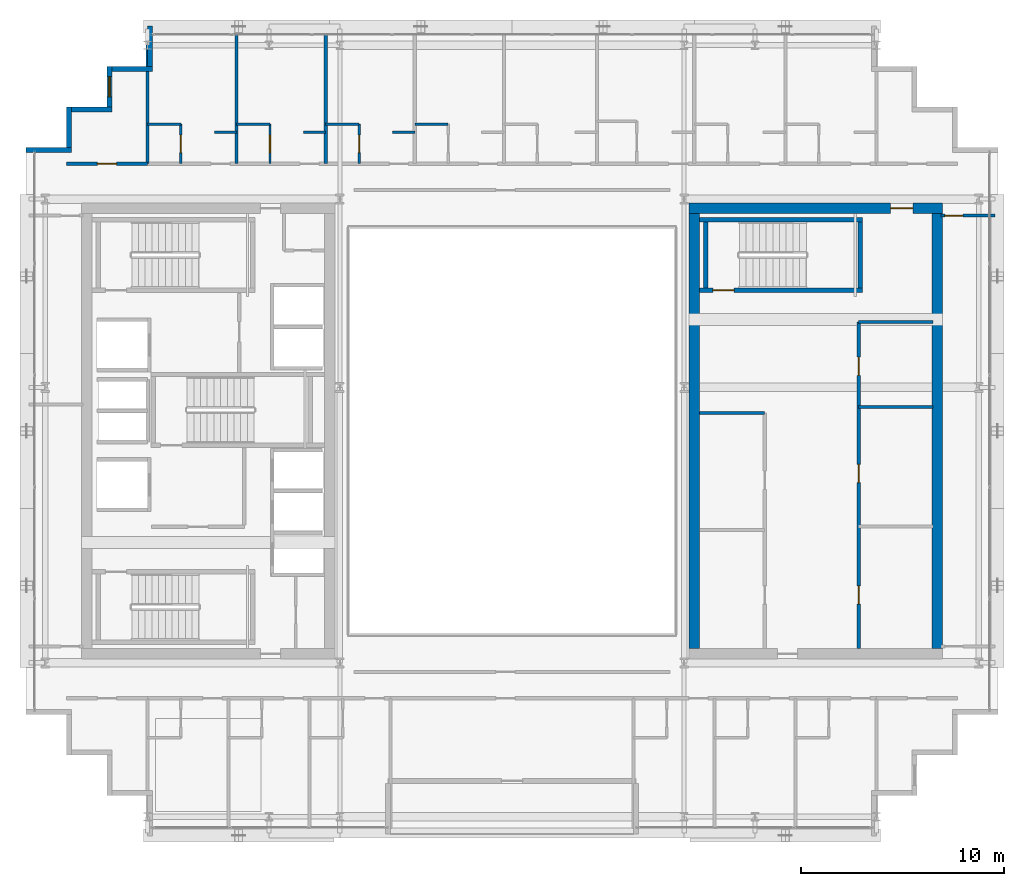
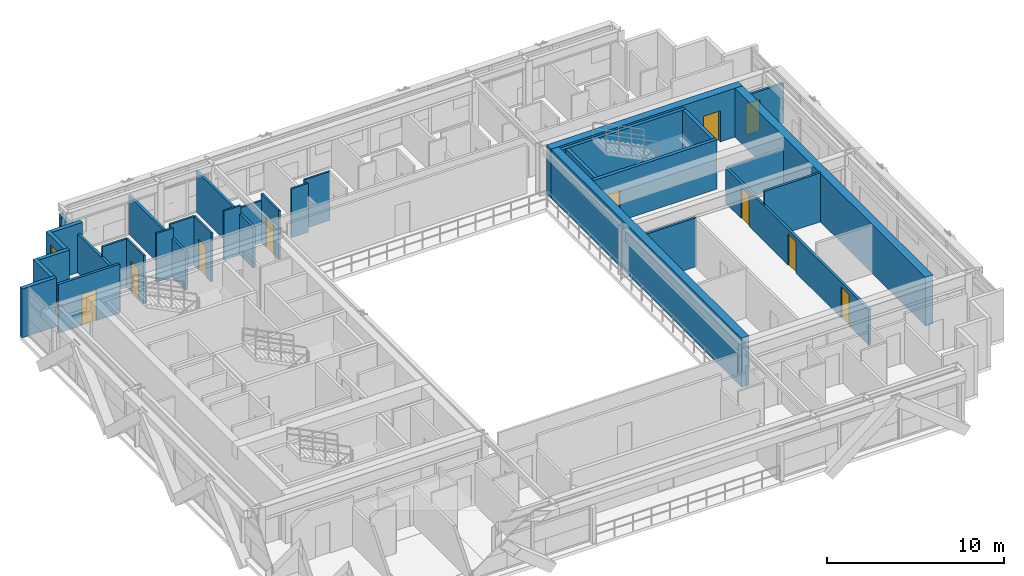
# One storey, part 26 of 32: 32 walls, 10 doors, 1 window, 11 openings.
"""IFC4 building model written with IfcOpenShell, lengths in metres."""

from ifc_helpers import new_model, si_unit, direction, frame, frame_2d, origin, place, context, subcontext, project, spatial, rectangle, extrude, source, transform, mapped, material, layer, layer_set, type_object, element, fill, save


model = new_model("IFC4")

# Units and contexts
model_context = context("Model", 3, precision=1e-05, world=origin(), true_north=direction((0.0, 1.0)))
body_context = subcontext(model_context, "Body", "Model", "MODEL_VIEW")
ifc_project = project(units=[si_unit("LENGTHUNIT", "METRE"), si_unit("AREAUNIT", "SQUARE_METRE"), si_unit("VOLUMEUNIT", "CUBIC_METRE"), si_unit("PLANEANGLEUNIT", "RADIAN"), si_unit("MASSUNIT", "GRAM", prefix="KILO")], contexts=[model_context])

# Site, building, storey
site_placement = place(None, origin())
site = spatial("IfcSite", under=ifc_project, at=site_placement, CompositionType="ELEMENT")
building_placement = place(site_placement, origin())
building = spatial("IfcBuilding", under=site, at=building_placement, Name="Ocotamira Hotel", CompositionType="ELEMENT")
storey_placement = place(building_placement, frame((0.0, 0.0, 166.800048828125)))
storey = spatial("IfcBuildingStorey", under=building, at=storey_placement, Name="L41", CompositionType="ELEMENT", Elevation=166.800048828125)

# Wall, opening, door
ifc_material_1 = material(Name="Concrete C50/60", Category="concrete")
ifc_layer_1 = layer(ifc_material_1, 0.5)
ifc_layer_set_1 = layer_set([ifc_layer_1], Name="Concrete C50/60")
wall_type_1 = type_object("IfcWallType", Name="WL-CORE-500", PredefinedType="SHEAR", material=ifc_layer_set_1)
wall_1_placement = place(storey_placement, frame((40.75, 37.0, 0.0), z_axis=(0.0, 0.0, 1.0), x_axis=(1.0, 0.0, 0.0)))
wall_1 = element("IfcWall", 1, at=wall_1_placement, inside=storey, type_object=wall_type_1, Name="L41 Shear Core Wall ECORE-N", PredefinedType="SHEAR", context=body_context, shape_type="SweptSolid", body=[
    extrude(rectangle(XDim=12.5, YDim=0.5, at=frame_2d((6.25, 0.0))), origin(), (0.0, 0.0, 1.0), 3.369873046875),
])
opening_1_placement = place(wall_1_placement, frame((9.949951171875, 0.0, 0.0)))
opening_1 = element("IfcOpeningElement", 2, at=opening_1_placement, cuts=wall_1, Name="Opening D-FR1", PredefinedType="OPENING", context=body_context, shape_type="SweptSolid", body=[
    extrude(rectangle(XDim=1.10009765625, YDim=2.14990234375, at=frame_2d((0.550048828125, 1.074951171875))), frame((0.0, 0.260009765625, 0.0), z_axis=(0.0, -1.0, 0.0), x_axis=(1.0, 0.0, 0.0)), (0.0, 0.0, 1.0), 0.52001953125),
])
ifc_material_2 = material(Name="Fire-rated acoustic timber-veneer door", Category="wood")
door_type_1 = type_object("IfcDoorType", Name="DR-FIRE-1100", OperationType="NOTDEFINED", PredefinedType="DOOR", material=ifc_material_2)
shared_shape_1 = source(origin(), body_context, "Body", "SweptSolid", [
    extrude(rectangle(XDim=1.10009765625, YDim=2.14990234375, at=frame_2d((0.550048828125, 1.074951171875))), frame((0.0, 0.02490234375, 0.0), z_axis=(0.0, -1.0, 0.0), x_axis=(1.0, 0.0, 0.0)), (0.0, 0.0, 1.0), 0.050048828125),
])
door_1_placement = place(opening_1_placement, origin())
door_1 = element("IfcDoor", 3, at=door_1_placement, inside=storey, type_object=door_type_1, Name="L41 Door ID-L41-ELOB-N-D [ID-L41-ELOB-N-D]", OperationType="SINGLE_SWING_LEFT", OverallHeight=2.14990234375, OverallWidth=1.10009765625, PredefinedType="DOOR", context=body_context, shape_type="MappedRepresentation", body=[
    mapped(shared_shape_1, transform((0.0, 0.0, 0.0), scale=1.0)),
])
fill(opening_1, door_1)

# Walls
for number, where, z_axis, x_axis, name in (
    (4, (41.0, 15.25, 0.0), (0.0, 0.0, 1.0), (0.0, 1.0, 0.0), "L41 Shear Core Wall ECORE-W"),
    (5, (53.0, 15.25, 0.0), (0.0, 0.0, 1.0), (0.0, 1.0, 0.0), "L41 Shear Core Wall ECORE-E"),
):
    element("IfcWall", number, at=place(storey_placement, frame(where, z_axis=z_axis, x_axis=x_axis)), inside=storey, type_object=wall_type_1, Name=name, PredefinedType="SHEAR", context=body_context, shape_type="SweptSolid", body=[
        extrude(rectangle(XDim=21.5, YDim=0.5, at=frame_2d((10.75, 0.0))), origin(), (0.0, 0.0, 1.0), 3.369873046875),
    ])
ifc_material_3 = material(Name="Precast concrete C45/55", Category="concrete")
ifc_layer_2 = layer(ifc_material_3, 0.25)
ifc_layer_set_2 = layer_set([ifc_layer_2], Name="Precast concrete C45/55")
wall_type_2 = type_object("IfcWallType", Name="WL-EXT-SER-250", PredefinedType="SOLIDWALL", material=ifc_layer_set_2)
wall_2_placement = place(storey_placement, frame((14.125, 46.0, 0.0), z_axis=(0.0, 0.0, 1.0), x_axis=(0.0, -1.0, 0.0)))
element("IfcWall", 6, at=wall_2_placement, inside=storey, type_object=wall_type_2, Name="L41 Serrated Corner Wall 13", PredefinedType="SOLIDWALL", context=body_context, shape_type="SweptSolid", body=[
    extrude(rectangle(XDim=2.0, YDim=0.25, at=frame_2d((1.0, 0.0))), origin(), (0.0, 0.0, 1.0), 2.677001953125),
])
wall_3_placement = place(storey_placement, frame((14.25, 43.875, 0.0), z_axis=(0.0, 0.0, 1.0), x_axis=(-1.0, 0.0, 0.0)))
element("IfcWall", 7, at=wall_3_placement, inside=storey, type_object=wall_type_2, Name="L41 Serrated Corner Wall 14", PredefinedType="SOLIDWALL", context=body_context, shape_type="SweptSolid", body=[
    extrude(rectangle(XDim=2.0, YDim=0.25, at=frame_2d((1.0, 0.0))), origin(), (0.0, 0.0, 1.0), 3.369873046875),
])

# Wall, opening, window
wall_4_placement = place(storey_placement, frame((12.125, 44.0, 0.0), z_axis=(0.0, 0.0, 1.0), x_axis=(0.0, -1.0, 0.0)))
wall_4 = element("IfcWall", 8, at=wall_4_placement, inside=storey, type_object=wall_type_2, Name="L41 Serrated Corner Wall 15", PredefinedType="SOLIDWALL", context=body_context, shape_type="SweptSolid", body=[
    extrude(rectangle(XDim=2.0, YDim=0.25, at=frame_2d((1.0, 0.0))), origin(), (0.0, 0.0, 1.0), 3.369873046875),
])
opening_2_placement = place(wall_4_placement, frame((0.5, 0.0, 0.85009765625)))
opening_2 = element("IfcOpeningElement", 9, at=opening_2_placement, cuts=wall_4, Name="Opening WN-2", PredefinedType="OPENING", context=body_context, shape_type="SweptSolid", body=[
    extrude(rectangle(XDim=1.0, YDim=1.89990234375, at=frame_2d((0.5, 0.949951171875))), frame((0.0, 0.135009765625, 0.0), z_axis=(0.0, -1.0, 0.0), x_axis=(1.0, 0.0, 0.0)), (0.0, 0.0, 1.0), 0.27001953125),
])
ifc_material_4 = material(Name="Double-silver low-E solar glass", Category="glass")
window_type = type_object("IfcWindowType", Name="WIN-SER-1100", PartitioningType="SINGLE_PANEL", PredefinedType="WINDOW", material=ifc_material_4)
shared_shape_2 = source(origin(), body_context, "Body", "SweptSolid", [
    extrude(rectangle(XDim=1.0, YDim=1.89990234375, at=frame_2d((0.5, 0.949951171875))), frame((0.0, 0.030029296875, 0.0), z_axis=(0.0, -1.0, 0.0), x_axis=(1.0, 0.0, 0.0)), (0.0, 0.0, 1.0), 0.06005859375),
])
window_placement = place(opening_2_placement, origin())
window = element("IfcWindow", 10, at=window_placement, inside=storey, type_object=window_type, Name="L41 Serrated Corner Window 15", OverallHeight=1.89990234375, OverallWidth=1.0, PartitioningType="SINGLE_PANEL", PredefinedType="WINDOW", context=body_context, shape_type="MappedRepresentation", body=[
    mapped(shared_shape_2, transform((0.0, 0.0, 0.0), scale=1.0)),
])
fill(opening_2, window)

# Walls
for number, where, z_axis, x_axis, name in (
    (11, (12.25, 41.875, 0.0), (0.0, 0.0, 1.0), (-1.0, 0.0, 0.0), "L41 Serrated Corner Wall 16"),
    (12, (10.125, 42.0, 0.0), (0.0, 0.0, 1.0), (0.0, -1.0, 0.0), "L41 Serrated Corner Wall 17"),
):
    element("IfcWall", number, at=place(storey_placement, frame(where, z_axis=z_axis, x_axis=x_axis)), inside=storey, type_object=wall_type_2, Name=name, PredefinedType="SOLIDWALL", context=body_context, shape_type="SweptSolid", body=[
        extrude(rectangle(XDim=2.0, YDim=0.25, at=frame_2d((1.0, 0.0))), origin(), (0.0, 0.0, 1.0), 3.369873046875),
    ])
wall_5_placement = place(storey_placement, frame((10.25, 39.875, 0.0), z_axis=(0.0, 0.0, 1.0), x_axis=(-1.0, 0.0, 0.0)))
element("IfcWall", 13, at=wall_5_placement, inside=storey, type_object=wall_type_2, Name="L41 Serrated Corner Wall 18", PredefinedType="SOLIDWALL", context=body_context, shape_type="SweptSolid", body=[
    extrude(rectangle(XDim=2.25, YDim=0.25, at=frame_2d((1.125, 0.0))), origin(), (0.0, 0.0, 1.0), 3.369873046875),
])
ifc_material_5 = material(Name="Acoustic double-layer fire gypsum board partition", Category="gypsum")
ifc_layer_3 = layer(ifc_material_5, 0.159912109375)
ifc_layer_set_3 = layer_set([ifc_layer_3], Name="Acoustic double-layer fire gypsum board partition")
wall_type_3 = type_object("IfcWallType", Name="WL-FIRE-160", PredefinedType="PARTITIONING", material=ifc_layer_set_3)
wall_6_placement = place(storey_placement, frame((49.1201171875, 31.3798828125, 0.0), z_axis=(0.0, 0.0, 1.0), x_axis=(1.0, 0.0, 0.0)))
element("IfcWall", 14, at=wall_6_placement, inside=storey, type_object=wall_type_3, Name="L41 Interior Wall PW-L41-EC-FLOW-N", PredefinedType="PARTITIONING", context=body_context, shape_type="SweptSolid", body=[
    extrude(rectangle(XDim=3.679931640625, YDim=0.159912109375, at=frame_2d((1.83984375, 0.0))), origin(), (0.0, 0.0, 1.0), 2.469970703125),
])

# Wall, openings, doors
wall_7_placement = place(storey_placement, frame((49.1201171875, 15.25, 0.0), z_axis=(0.0, 0.0, 1.0), x_axis=(0.0, 1.0, 0.0)))
wall_7 = element("IfcWall", 15, at=wall_7_placement, inside=storey, type_object=wall_type_3, Name="L41 Interior Wall PW-L41-EC-FLOW-W", PredefinedType="PARTITIONING", context=body_context, shape_type="SweptSolid", body=[
    extrude(rectangle(XDim=16.1298828125, YDim=0.159912109375, at=frame_2d((8.06494140625, 0.0))), origin(), (0.0, 0.0, 1.0), 2.44287109375),
])
opening_3_placement = place(wall_7_placement, frame((2.199951171875, 0.0, 0.0)))
opening_3 = element("IfcOpeningElement", 16, at=opening_3_placement, cuts=wall_7, Name="Opening D-IN3", PredefinedType="OPENING", context=body_context, shape_type="SweptSolid", body=[
    extrude(rectangle(XDim=0.89990234375, YDim=2.14990234375, at=frame_2d((0.449951171875, 1.074951171875))), frame((0.0, 0.08984375, 0.0), z_axis=(0.0, -1.0, 0.0), x_axis=(1.0, 0.0, 0.0)), (0.0, 0.0, 1.0), 0.179931640625),
])
opening_4_placement = place(wall_7_placement, frame((8.199951171875, 0.0, 0.0)))
opening_4 = element("IfcOpeningElement", 17, at=opening_4_placement, cuts=wall_7, Name="Opening D-IN3", PredefinedType="OPENING", context=body_context, shape_type="SweptSolid", body=[
    extrude(rectangle(XDim=0.89990234375, YDim=2.14990234375, at=frame_2d((0.449951171875, 1.074951171875))), frame((0.0, 0.08984375, 0.0), z_axis=(0.0, -1.0, 0.0), x_axis=(1.0, 0.0, 0.0)), (0.0, 0.0, 1.0), 0.179931640625),
])
opening_5_placement = place(wall_7_placement, frame((13.5, 0.0, 0.0)))
opening_5 = element("IfcOpeningElement", 18, at=opening_5_placement, cuts=wall_7, Name="Opening D-IN3", PredefinedType="OPENING", context=body_context, shape_type="SweptSolid", body=[
    extrude(rectangle(XDim=0.89990234375, YDim=2.14990234375, at=frame_2d((0.449951171875, 1.074951171875))), frame((0.0, 0.08984375, 0.0), z_axis=(0.0, -1.0, 0.0), x_axis=(1.0, 0.0, 0.0)), (0.0, 0.0, 1.0), 0.179931640625),
])
ifc_material_6 = material(Name="Painted service room door", Category="steel")
door_type_2 = type_object("IfcDoorType", Name="DR-INT-900", OperationType="NOTDEFINED", PredefinedType="DOOR", material=ifc_material_6)
shared_shape_3 = source(origin(), body_context, "Body", "SweptSolid", [
    extrude(rectangle(XDim=0.89990234375, YDim=2.14990234375, at=frame_2d((0.449951171875, 1.074951171875))), frame((0.0, 0.02490234375, 0.0), z_axis=(0.0, -1.0, 0.0), x_axis=(1.0, 0.0, 0.0)), (0.0, 0.0, 1.0), 0.050048828125),
])
door_2_placement = place(opening_3_placement, origin())
door_2 = element("IfcDoor", 19, at=door_2_placement, inside=storey, type_object=door_type_2, Name="L41 Door ID-L41-EC-FLOW-D1 [ID-L41-EC-FLOW-D1]", OperationType="SINGLE_SWING_LEFT", OverallHeight=2.14990234375, OverallWidth=0.89990234375, PredefinedType="DOOR", context=body_context, shape_type="MappedRepresentation", body=[
    mapped(shared_shape_3, transform((0.0, 0.0, 0.0), scale=1.0)),
])
fill(opening_3, door_2)
door_3_placement = place(opening_4_placement, origin())
door_3 = element("IfcDoor", 20, at=door_3_placement, inside=storey, type_object=door_type_2, Name="L41 Door ID-L41-EC-FLOW-D2 [ID-L41-EC-FLOW-D2]", OperationType="SINGLE_SWING_RIGHT", OverallHeight=2.14990234375, OverallWidth=0.89990234375, PredefinedType="DOOR", context=body_context, shape_type="MappedRepresentation", body=[
    mapped(shared_shape_3, transform((0.0, 0.0, 0.0), scale=1.0)),
])
fill(opening_4, door_3)
door_4_placement = place(opening_5_placement, origin())
door_4 = element("IfcDoor", 21, at=door_4_placement, inside=storey, type_object=door_type_2, Name="L41 Door ID-L41-EC-FLOW-D3 [ID-L41-EC-FLOW-D3]", OperationType="SINGLE_SWING_LEFT", OverallHeight=2.14990234375, OverallWidth=0.89990234375, PredefinedType="DOOR", context=body_context, shape_type="MappedRepresentation", body=[
    mapped(shared_shape_3, transform((0.0, 0.0, 0.0), scale=1.0)),
])
fill(opening_5, door_4)

# Wall, opening, door
wall_8_placement = place(storey_placement, frame((10.0, 39.199951171875, 0.0), z_axis=(0.0, 0.0, 1.0), x_axis=(1.0, 0.0, 0.0)))
wall_8 = element("IfcWall", 22, at=wall_8_placement, inside=storey, type_object=wall_type_3, Name="L41 Interior Wall PW-L41-Z3A-CNW-CW", PredefinedType="PARTITIONING", context=body_context, shape_type="SweptSolid", body=[
    extrude(rectangle(XDim=4.0, YDim=0.159912109375, at=frame_2d((2.0, 0.0))), origin(), (0.0, 0.0, 1.0), 3.369873046875),
])
opening_6_placement = place(wall_8_placement, frame((1.52001953125, 0.0, 0.0)))
opening_6 = element("IfcOpeningElement", 23, at=opening_6_placement, cuts=wall_8, Name="Opening D-SV4", PredefinedType="OPENING", context=body_context, shape_type="SweptSolid", body=[
    extrude(rectangle(XDim=0.9599609375, YDim=2.14990234375, at=frame_2d((0.47998046875, 1.074951171875))), frame((0.0, 0.08984375, 0.0), z_axis=(0.0, -1.0, 0.0), x_axis=(1.0, 0.0, 0.0)), (0.0, 0.0, 1.0), 0.179931640625),
])
ifc_material_7 = material(Name="Fire-rated accessible walnut salon door", Category="wood")
door_type_3 = type_object("IfcDoorType", Name="DR-SERV-960", OperationType="NOTDEFINED", PredefinedType="DOOR", material=ifc_material_7)
shared_shape_4 = source(origin(), body_context, "Body", "SweptSolid", [
    extrude(rectangle(XDim=0.9599609375, YDim=2.14990234375, at=frame_2d((0.47998046875, 1.074951171875))), frame((0.0, 0.02490234375, 0.0), z_axis=(0.0, -1.0, 0.0), x_axis=(1.0, 0.0, 0.0)), (0.0, 0.0, 1.0), 0.050048828125),
])
door_5_placement = place(opening_6_placement, origin())
door_5 = element("IfcDoor", 24, at=door_5_placement, inside=storey, type_object=door_type_3, Name="L41 Door ID-L41-Z3A-CNW-CD [ID-L41-Z3A-CNW-CD]", OperationType="SINGLE_SWING_LEFT", OverallHeight=2.14990234375, OverallWidth=0.9599609375, PredefinedType="DOOR", context=body_context, shape_type="MappedRepresentation", body=[
    mapped(shared_shape_4, transform((0.0, 0.0, 0.0), scale=1.0)),
])
fill(opening_6, door_5)

ifc_material_8 = material(Name="Moisture-resistant en-suite tile and gypsum partition", Category="gypsum")
ifc_layer_4 = layer(ifc_material_8, 0.1201171875)
ifc_layer_set_4 = layer_set([ifc_layer_4], Name="Moisture-resistant en-suite tile and gypsum partition")
wall_type_4 = type_object("IfcWallType", Name="WL-PART-120", PredefinedType="PARTITIONING", material=ifc_layer_set_4)
wall_9_placement = place(storey_placement, frame((15.64990234375, 39.199951171875, 0.0), z_axis=(0.0, 0.0, 1.0), x_axis=(0.0, 1.0, 0.0)))
wall_9 = element("IfcWall", 25, at=wall_9_placement, inside=storey, type_object=wall_type_4, Name="L41 Interior Wall PW-L41-Z3AN-BAE1", PredefinedType="PARTITIONING", context=body_context, shape_type="SweptSolid", body=[
    extrude(rectangle(XDim=1.949951171875, YDim=0.1201171875, at=frame_2d((0.97509765625, 0.0))), origin(), (0.0, 0.0, 1.0), 3.369873046875),
])
opening_7_placement = place(wall_9_placement, frame((0.544921875, 0.0, 0.0)))
opening_7 = element("IfcOpeningElement", 26, at=opening_7_placement, cuts=wall_9, Name="Opening D-BA1", PredefinedType="OPENING", context=body_context, shape_type="SweptSolid", body=[
    extrude(rectangle(XDim=0.860107421875, YDim=2.10009765625, at=frame_2d((0.43017578125, 1.050048828125))), frame((0.0, 0.070068359375, 0.0), z_axis=(0.0, -1.0, 0.0), x_axis=(1.0, 0.0, 0.0)), (0.0, 0.0, 1.0), 0.14013671875),
])
ifc_material_9 = material(Name="Moisture-sealed en-suite timber door", Category="wood")
door_type_4 = type_object("IfcDoorType", Name="DR-BATH-860", OperationType="NOTDEFINED", PredefinedType="DOOR", material=ifc_material_9)
shared_shape_5 = source(origin(), body_context, "Body", "SweptSolid", [
    extrude(rectangle(XDim=0.860107421875, YDim=2.10009765625, at=frame_2d((0.43017578125, 1.050048828125))), frame((0.0, 0.02490234375, 0.0), z_axis=(0.0, -1.0, 0.0), x_axis=(1.0, 0.0, 0.0)), (0.0, 0.0, 1.0), 0.050048828125),
])
door_6_placement = place(opening_7_placement, origin())
door_6 = element("IfcDoor", 27, at=door_6_placement, inside=storey, type_object=door_type_4, Name="L41 Door ID-L41-Z3AN-BAD1 [ID-L41-Z3AN-BAD1]", OperationType="SINGLE_SWING_RIGHT", OverallHeight=2.10009765625, OverallWidth=0.860107421875, PredefinedType="DOOR", context=body_context, shape_type="MappedRepresentation", body=[
    mapped(shared_shape_5, transform((0.0, 0.0, 0.0), scale=1.0)),
])
fill(opening_7, door_6)

# Walls
wall_10_placement = place(storey_placement, frame((14.0, 41.14990234375, 0.0), z_axis=(0.0, 0.0, 1.0), x_axis=(1.0, 0.0, 0.0)))
element("IfcWall", 28, at=wall_10_placement, inside=storey, type_object=wall_type_4, Name="L41 Interior Wall PW-L41-Z3AN-BAN1", PredefinedType="PARTITIONING", context=body_context, shape_type="SweptSolid", body=[
    extrude(rectangle(XDim=1.64990234375, YDim=0.1201171875, at=frame_2d((0.824951171875, 0.0))), origin(), (0.0, 0.0, 1.0), 3.369873046875),
])
wall_11_placement = place(storey_placement, frame((17.300048828125, 40.75, 0.0), z_axis=(0.0, 0.0, 1.0), x_axis=(1.0, 0.0, 0.0)))
element("IfcWall", 29, at=wall_11_placement, inside=storey, type_object=wall_type_4, Name="L41 Interior Wall PW-L41-Z3AN-DRN1", PredefinedType="PARTITIONING", context=body_context, shape_type="SweptSolid", body=[
    extrude(rectangle(XDim=1.099853515625, YDim=0.1201171875, at=frame_2d((0.5498046875, 0.0))), origin(), (0.0, 0.0, 1.0), 3.369873046875),
])

# Wall, opening, door
wall_12_placement = place(storey_placement, frame((20.050048828125, 39.199951171875, 0.0), z_axis=(0.0, 0.0, 1.0), x_axis=(0.0, 1.0, 0.0)))
wall_12 = element("IfcWall", 30, at=wall_12_placement, inside=storey, type_object=wall_type_4, Name="L41 Interior Wall PW-L41-Z3AN-BAE2", PredefinedType="PARTITIONING", context=body_context, shape_type="SweptSolid", body=[
    extrude(rectangle(XDim=1.949951171875, YDim=0.1201171875, at=frame_2d((0.97509765625, 0.0))), origin(), (0.0, 0.0, 1.0), 3.369873046875),
])
opening_8_placement = place(wall_12_placement, frame((0.544921875, 0.0, 0.0)))
opening_8 = element("IfcOpeningElement", 31, at=opening_8_placement, cuts=wall_12, Name="Opening D-BA1", PredefinedType="OPENING", context=body_context, shape_type="SweptSolid", body=[
    extrude(rectangle(XDim=0.860107421875, YDim=2.10009765625, at=frame_2d((0.43017578125, 1.050048828125))), frame((0.0, 0.070068359375, 0.0), z_axis=(0.0, -1.0, 0.0), x_axis=(1.0, 0.0, 0.0)), (0.0, 0.0, 1.0), 0.14013671875),
])
door_7_placement = place(opening_8_placement, origin())
door_7 = element("IfcDoor", 32, at=door_7_placement, inside=storey, type_object=door_type_4, Name="L41 Door ID-L41-Z3AN-BAD2 [ID-L41-Z3AN-BAD2]", OperationType="SINGLE_SWING_LEFT", OverallHeight=2.10009765625, OverallWidth=0.860107421875, PredefinedType="DOOR", context=body_context, shape_type="MappedRepresentation", body=[
    mapped(shared_shape_5, transform((0.0, 0.0, 0.0), scale=1.0)),
])
fill(opening_8, door_7)

# Walls
wall_13_placement = place(storey_placement, frame((18.39990234375, 41.14990234375, 0.0), z_axis=(0.0, 0.0, 1.0), x_axis=(1.0, 0.0, 0.0)))
element("IfcWall", 33, at=wall_13_placement, inside=storey, type_object=wall_type_4, Name="L41 Interior Wall PW-L41-Z3AN-BAN2", PredefinedType="PARTITIONING", context=body_context, shape_type="SweptSolid", body=[
    extrude(rectangle(XDim=1.650146484375, YDim=0.1201171875, at=frame_2d((0.8251953125, 0.0))), origin(), (0.0, 0.0, 1.0), 3.369873046875),
])
wall_14_placement = place(storey_placement, frame((21.699951171875, 40.75, 0.0), z_axis=(0.0, 0.0, 1.0), x_axis=(1.0, 0.0, 0.0)))
element("IfcWall", 34, at=wall_14_placement, inside=storey, type_object=wall_type_4, Name="L41 Interior Wall PW-L41-Z3AN-DRN2", PredefinedType="PARTITIONING", context=body_context, shape_type="SweptSolid", body=[
    extrude(rectangle(XDim=1.10009765625, YDim=0.1201171875, at=frame_2d((0.550048828125, 0.0))), origin(), (0.0, 0.0, 1.0), 3.369873046875),
])

# Wall, opening, door
wall_15_placement = place(storey_placement, frame((24.449951171875, 39.199951171875, 0.0), z_axis=(0.0, 0.0, 1.0), x_axis=(0.0, 1.0, 0.0)))
wall_15 = element("IfcWall", 35, at=wall_15_placement, inside=storey, type_object=wall_type_4, Name="L41 Interior Wall PW-L41-Z3AN-BAE3", PredefinedType="PARTITIONING", context=body_context, shape_type="SweptSolid", body=[
    extrude(rectangle(XDim=1.949951171875, YDim=0.1201171875, at=frame_2d((0.97509765625, 0.0))), origin(), (0.0, 0.0, 1.0), 3.369873046875),
])
opening_9_placement = place(wall_15_placement, frame((0.544921875, 0.0, 0.0)))
opening_9 = element("IfcOpeningElement", 36, at=opening_9_placement, cuts=wall_15, Name="Opening D-BA1", PredefinedType="OPENING", context=body_context, shape_type="SweptSolid", body=[
    extrude(rectangle(XDim=0.860107421875, YDim=2.10009765625, at=frame_2d((0.43017578125, 1.050048828125))), frame((0.0, 0.070068359375, 0.0), z_axis=(0.0, -1.0, 0.0), x_axis=(1.0, 0.0, 0.0)), (0.0, 0.0, 1.0), 0.14013671875),
])
door_8_placement = place(opening_9_placement, origin())
door_8 = element("IfcDoor", 37, at=door_8_placement, inside=storey, type_object=door_type_4, Name="L41 Door ID-L41-Z3AN-BAD3 [ID-L41-Z3AN-BAD3]", OperationType="SINGLE_SWING_RIGHT", OverallHeight=2.10009765625, OverallWidth=0.860107421875, PredefinedType="DOOR", context=body_context, shape_type="MappedRepresentation", body=[
    mapped(shared_shape_5, transform((0.0, 0.0, 0.0), scale=1.0)),
])
fill(opening_9, door_8)

# Walls
wall_16_placement = place(storey_placement, frame((22.800048828125, 41.14990234375, 0.0), z_axis=(0.0, 0.0, 1.0), x_axis=(1.0, 0.0, 0.0)))
element("IfcWall", 38, at=wall_16_placement, inside=storey, type_object=wall_type_4, Name="L41 Interior Wall PW-L41-Z3AN-BAN3", PredefinedType="PARTITIONING", context=body_context, shape_type="SweptSolid", body=[
    extrude(rectangle(XDim=1.64990234375, YDim=0.1201171875, at=frame_2d((0.824951171875, 0.0))), origin(), (0.0, 0.0, 1.0), 2.912841796875),
])
wall_17_placement = place(storey_placement, frame((26.10009765625, 40.75, 0.0), z_axis=(0.0, 0.0, 1.0), x_axis=(1.0, 0.0, 0.0)))
element("IfcWall", 39, at=wall_17_placement, inside=storey, type_object=wall_type_4, Name="L41 Interior Wall PW-L41-Z3AN-DRN3", PredefinedType="PARTITIONING", context=body_context, shape_type="SweptSolid", body=[
    extrude(rectangle(XDim=1.099853515625, YDim=0.1201171875, at=frame_2d((0.5498046875, 0.0))), origin(), (0.0, 0.0, 1.0), 3.369873046875),
])
wall_18_placement = place(storey_placement, frame((27.199951171875, 41.14990234375, 0.0), z_axis=(0.0, 0.0, 1.0), x_axis=(1.0, 0.0, 0.0)))
element("IfcWall", 40, at=wall_18_placement, inside=storey, type_object=wall_type_4, Name="L41 Interior Wall PW-L41-Z3AN-BAN4", PredefinedType="PARTITIONING", context=body_context, shape_type="SweptSolid", body=[
    extrude(rectangle(XDim=1.650146484375, YDim=0.1201171875, at=frame_2d((0.8251953125, 0.0))), origin(), (0.0, 0.0, 1.0), 3.369873046875),
])
ifc_material_10 = material(Name="Acoustic hospitality gypsum board partition", Category="gypsum")
ifc_layer_5 = layer(ifc_material_10, 0.14990234375)
ifc_layer_set_5 = layer_set([ifc_layer_5], Name="Acoustic hospitality gypsum board partition")
wall_type_5 = type_object("IfcWallType", Name="WL-PART-150", PredefinedType="PARTITIONING", material=ifc_layer_set_5)
wall_19_placement = place(storey_placement, frame((49.1201171875, 27.18994140625, 0.0), z_axis=(0.0, 0.0, 1.0), x_axis=(1.0, 0.0, 0.0)))
element("IfcWall", 41, at=wall_19_placement, inside=storey, type_object=wall_type_5, Name="L41 Interior Wall PW-L41-EC-FDIV2", PredefinedType="PARTITIONING", context=body_context, shape_type="SweptSolid", body=[
    extrude(rectangle(XDim=3.679931640625, YDim=0.14990234375, at=frame_2d((1.83984375, 0.0))), origin(), (0.0, 0.0, 1.0), 3.369873046875),
])
wall_20_placement = place(storey_placement, frame((41.25, 26.8798828125, 0.0), z_axis=(0.0, 0.0, 1.0), x_axis=(1.0, 0.0, 0.0)))
element("IfcWall", 42, at=wall_20_placement, inside=storey, type_object=wall_type_5, Name="L41 Interior Wall PW-L41-EC-FMID-N", PredefinedType="PARTITIONING", context=body_context, shape_type="SweptSolid", body=[
    extrude(rectangle(XDim=3.22998046875, YDim=0.14990234375, at=frame_2d((1.614990234375, 0.0))), origin(), (0.0, 0.0, 1.0), 3.369873046875),
])

# Wall, opening, door
wall_21_placement = place(storey_placement, frame((53.179931640625, 36.639892578125, 0.0), z_axis=(0.0, 0.0, 1.0), x_axis=(1.0, 0.0, 0.0)))
wall_21 = element("IfcWall", 43, at=wall_21_placement, inside=storey, type_object=wall_type_5, Name="L41 Interior Wall PW-L41-Z3A-EF-WN", PredefinedType="PARTITIONING", context=body_context, shape_type="SweptSolid", body=[
    extrude(rectangle(XDim=2.66015625, YDim=0.14990234375, at=frame_2d((1.330078125, 0.0))), origin(), (0.0, 0.0, 1.0), 2.7529296875),
])
opening_10_placement = place(wall_21_placement, frame((0.199951171875, 0.0, 0.0)))
opening_10 = element("IfcOpeningElement", 44, at=opening_10_placement, cuts=wall_21, Name="Opening D-SV2", PredefinedType="OPENING", context=body_context, shape_type="SweptSolid", body=[
    extrude(rectangle(XDim=0.8798828125, YDim=2.14990234375, at=frame_2d((0.43994140625, 1.074951171875))), frame((0.0, 0.0849609375, 0.0), z_axis=(0.0, -1.0, 0.0), x_axis=(1.0, 0.0, 0.0)), (0.0, 0.0, 1.0), 0.169921875),
])
ifc_material_11 = material(Name="Fire-rated painted steel service door", Category="steel")
door_type_5 = type_object("IfcDoorType", Name="DR-SERV-880", OperationType="NOTDEFINED", PredefinedType="DOOR", material=ifc_material_11)
shared_shape_6 = source(origin(), body_context, "Body", "SweptSolid", [
    extrude(rectangle(XDim=0.8798828125, YDim=2.14990234375, at=frame_2d((0.43994140625, 1.074951171875))), frame((0.0, 0.02490234375, 0.0), z_axis=(0.0, -1.0, 0.0), x_axis=(1.0, 0.0, 0.0)), (0.0, 0.0, 1.0), 0.050048828125),
])
door_9_placement = place(opening_10_placement, origin())
door_9 = element("IfcDoor", 45, at=door_9_placement, inside=storey, type_object=door_type_5, Name="L41 Door ID-L41-Z3A-EF-DN [ID-L41-Z3A-EF-DN]", OperationType="SINGLE_SWING_LEFT", OverallHeight=2.14990234375, OverallWidth=0.8798828125, PredefinedType="DOOR", context=body_context, shape_type="MappedRepresentation", body=[
    mapped(shared_shape_6, transform((0.0, 0.0, 0.0), scale=1.0)),
])
fill(opening_10, door_9)

# Walls
ifc_material_12 = material(Name="Acoustic double-stud hospitality gypsum partition", Category="gypsum")
ifc_layer_6 = layer(ifc_material_12, 0.159912109375)
ifc_layer_set_6 = layer_set([ifc_layer_6], Name="Acoustic double-stud hospitality gypsum partition")
wall_type_6 = type_object("IfcWallType", Name="WL-PART-160", PredefinedType="PARTITIONING", material=ifc_layer_set_6)
for number, where, z_axis, x_axis, name in (
    (46, (14.0, 39.199951171875, 0.0), (0.0, 0.0, 1.0), (0.0, 1.0, 0.0), "L41 Interior Wall PW-L41-Z3AN-PW0"),
    (47, (18.39990234375, 39.199951171875, 0.0), (0.0, 0.0, 1.0), (0.0, 1.0, 0.0), "L41 Interior Wall PW-L41-Z3AN-PW1"),
):
    element("IfcWall", number, at=place(storey_placement, frame(where, z_axis=z_axis, x_axis=x_axis)), inside=storey, type_object=wall_type_6, Name=name, PredefinedType="PARTITIONING", context=body_context, shape_type="SweptSolid", body=[
        extrude(rectangle(XDim=6.43994140625, YDim=0.159912109375, at=frame_2d((3.219970703125, 0.0))), origin(), (0.0, 0.0, 1.0), 2.677001953125),
    ])
wall_22_placement = place(storey_placement, frame((22.800048828125, 39.199951171875, 0.0), z_axis=(0.0, 0.0, 1.0), x_axis=(0.0, 1.0, 0.0)))
element("IfcWall", 48, at=wall_22_placement, inside=storey, type_object=wall_type_6, Name="L41 Interior Wall PW-L41-Z3AN-PW2", PredefinedType="PARTITIONING", context=body_context, shape_type="SweptSolid", body=[
    extrude(rectangle(XDim=6.43994140625, YDim=0.159912109375, at=frame_2d((3.219970703125, 0.0))), origin(), (0.0, 0.0, 1.0), 2.8330078125),
])

# Wall, opening, door
ifc_layer_7 = layer(ifc_material_1, 0.219970703125)
ifc_layer_set_7 = layer_set([ifc_layer_7], Name="Concrete C50/60")
wall_type_7 = type_object("IfcWallType", Name="WL-STAIR-220", PredefinedType="SHEAR", material=ifc_layer_set_7)
wall_23_placement = place(storey_placement, frame((41.25, 32.93994140625, 0.0), z_axis=(0.0, 0.0, 1.0), x_axis=(1.0, 0.0, 0.0)))
wall_23 = element("IfcWall", 49, at=wall_23_placement, inside=storey, type_object=wall_type_7, Name="L41 Stair Shaft Structural Wall ST-4-S", PredefinedType="SHEAR", context=body_context, shape_type="SweptSolid", body=[
    extrude(rectangle(XDim=8.06005859375, YDim=0.219970703125, at=frame_2d((4.030029296875, 0.0))), origin(), (0.0, 0.0, 1.0), 3.39990234375),
])
opening_11_placement = place(wall_23_placement, frame((0.669921875, 0.0, 0.0)))
opening_11 = element("IfcOpeningElement", 50, at=opening_11_placement, cuts=wall_23, Name="Opening D-ST2", PredefinedType="OPENING", context=body_context, shape_type="SweptSolid", body=[
    extrude(rectangle(XDim=1.050048828125, YDim=2.14990234375, at=frame_2d((0.52490234375, 1.074951171875))), frame((0.0, 0.1201171875, 0.0), z_axis=(0.0, -1.0, 0.0), x_axis=(1.0, 0.0, 0.0)), (0.0, 0.0, 1.0), 0.239990234375),
])
ifc_material_13 = material(Name="Insulated painted hollow-metal fire exit door", Category="steel")
door_type_6 = type_object("IfcDoorType", Name="DR-STAIR-1050", OperationType="NOTDEFINED", PredefinedType="DOOR", material=ifc_material_13)
shared_shape_7 = source(origin(), body_context, "Body", "SweptSolid", [
    extrude(rectangle(XDim=1.050048828125, YDim=2.14990234375, at=frame_2d((0.52490234375, 1.074951171875))), frame((0.0, 0.02490234375, 0.0), z_axis=(0.0, -1.0, 0.0), x_axis=(1.0, 0.0, 0.0)), (0.0, 0.0, 1.0), 0.050048828125),
])
door_10_placement = place(opening_11_placement, origin())
door_10 = element("IfcDoor", 51, at=door_10_placement, inside=storey, type_object=door_type_6, Name="L41 Door ID-L41-STD-ST-4 [ID-L41-STD-ST-4]", OperationType="SINGLE_SWING_LEFT", OverallHeight=2.14990234375, OverallWidth=1.050048828125, PredefinedType="DOOR", context=body_context, shape_type="MappedRepresentation", body=[
    mapped(shared_shape_7, transform((0.0, 0.0, 0.0), scale=1.0)),
])
fill(opening_11, door_10)

# Walls
wall_24_placement = place(storey_placement, frame((41.25, 36.43994140625, 0.0), z_axis=(0.0, 0.0, 1.0), x_axis=(1.0, 0.0, 0.0)))
element("IfcWall", 52, at=wall_24_placement, inside=storey, type_object=wall_type_7, Name="L41 Stair Shaft Structural Wall ST-4-N", PredefinedType="SHEAR", context=body_context, shape_type="SweptSolid", body=[
    extrude(rectangle(XDim=8.06005859375, YDim=0.219970703125, at=frame_2d((4.030029296875, 0.0))), origin(), (0.0, 0.0, 1.0), 3.39990234375),
])
for number, where, z_axis, x_axis, name in (
    (53, (41.56005859375, 33.050048828125, 0.0), (0.0, 0.0, 1.0), (0.0, 1.0, 0.0), "L41 Stair Shaft Structural Wall ST-4-W"),
    (54, (49.199951171875, 33.050048828125, 0.0), (0.0, 0.0, 1.0), (0.0, 1.0, 0.0), "L41 Stair Shaft Structural Wall ST-4-E"),
):
    element("IfcWall", number, at=place(storey_placement, frame(where, z_axis=z_axis, x_axis=x_axis)), inside=storey, type_object=wall_type_7, Name=name, PredefinedType="SHEAR", context=body_context, shape_type="SweptSolid", body=[
        extrude(rectangle(XDim=3.280029296875, YDim=0.219970703125, at=frame_2d((1.64013671875, 0.0))), origin(), (0.0, 0.0, 1.0), 3.39990234375),
    ])

save(model, "model.ifc")
